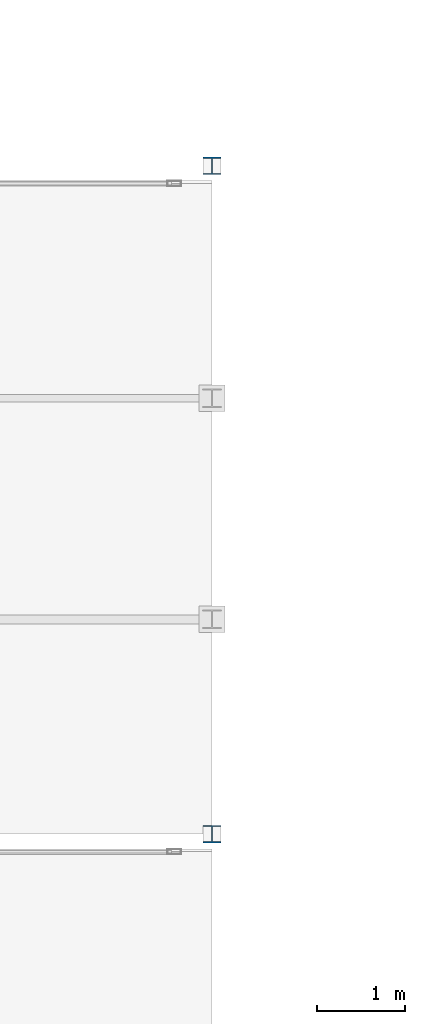
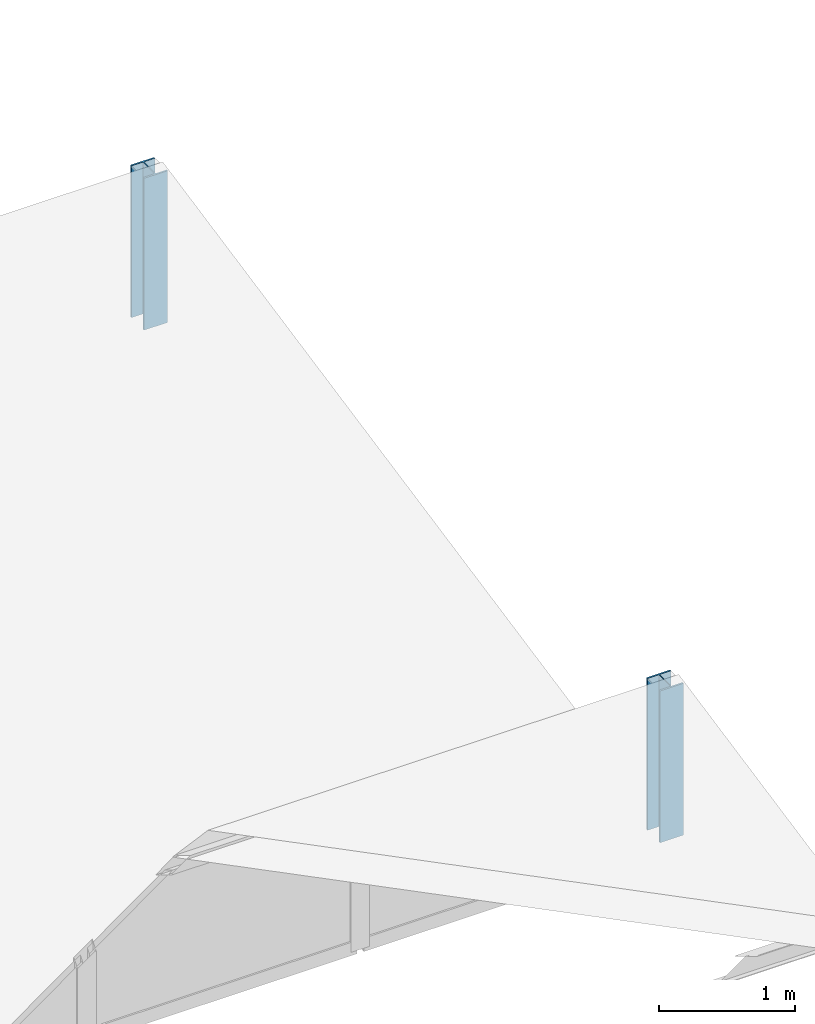
# One storey, part 2 of 114: 2 columns.
"""IFC4 building model written with IfcOpenShell, lengths in metres."""

import ifcopenshell
import ifcopenshell.guid

model = None  # the IFC model being written
_history = None  # IfcOwnerHistory: only IFC2X3 demands one
_inside = {}  # id of a spatial element -> (the spatial element, [elements in it])
_under = {}  # id of a project, library or spatial element -> (it, [spatial elements below it])
_declared = {}  # id of a project -> (the project, [libraries it declares])
_typed = {}  # id of a type object -> (the type object, [elements of that type])
_made_of = {}  # id of a material, layer set ... -> (it, [elements and type objects made of it])


def new_model(schema):
    """Start an empty IFC model of exactly this schema.

    Asked for "IFC4X3", IfcOpenShell would pick the latest addendum, in which some entities
    have other attributes; the version numbers below select the first issue.
    IFC2X3 requires an IfcOwnerHistory on every rooted entity: one is made here for all.
    """
    global model, _history
    if schema == "IFC4X3":
        model = ifcopenshell.file(schema_version=(4, 3, 0, 0))
    else:
        model = ifcopenshell.file(schema=schema)
    _inside.clear()
    _under.clear()
    _declared.clear()
    _typed.clear()
    _made_of.clear()
    _history = None
    if model.schema == "IFC2X3":
        org = make("IfcOrganization", Name="unknown")
        user = make(
            "IfcPersonAndOrganization",
            ThePerson=make("IfcPerson", FamilyName="unknown"),
            TheOrganization=org,
        )
        app = make(
            "IfcApplication",
            ApplicationDeveloper=org,
            Version="unknown",
            ApplicationFullName="unknown",
            ApplicationIdentifier="unknown",
        )
        _history = make(
            "IfcOwnerHistory",
            OwningUser=user,
            OwningApplication=app,
            ChangeAction="ADDED",
            CreationDate=0,
        )
    return model


def make(cls, **values):
    """One entity of the class cls with the attributes given. An attribute that is None is left unset."""
    return model.create_entity(
        cls, **{name: value for name, value in values.items() if value is not None}
    )


def rooted(cls, **values):
    """An entity with a GlobalId (a new one), such as an element, a storey or a relation."""
    return make(cls, GlobalId=ifcopenshell.guid.new(), OwnerHistory=_history, **values)


def si_unit(unit_type, name, prefix=None):
    """IfcSIUnit, for example si_unit("LENGTHUNIT", "METRE", prefix="MILLI")."""
    return make("IfcSIUnit", UnitType=unit_type, Prefix=prefix, Name=name)


def assignment(units):
    """IfcUnitAssignment: the units of a project."""
    return None if units is None else make("IfcUnitAssignment", Units=units)


def point(xyz):
    """IfcCartesianPoint."""
    return None if xyz is None else make("IfcCartesianPoint", Coordinates=xyz)


def direction(xyz):
    """IfcDirection."""
    return None if xyz is None else make("IfcDirection", DirectionRatios=xyz)


def frame(location, z_axis=None, x_axis=None):
    """IfcAxis2Placement3D, a coordinate frame: its origin and axes. An axis left out is left unset."""
    return make(
        "IfcAxis2Placement3D",
        Location=point(location),
        Axis=direction(z_axis),
        RefDirection=direction(x_axis),
    )


def frame_2d(location, x_axis=None):
    """IfcAxis2Placement2D, a coordinate frame in the plane: its origin and x axis."""
    return make(
        "IfcAxis2Placement2D", Location=point(location), RefDirection=direction(x_axis)
    )


def origin():
    """The frame at (0, 0, 0) with its axes left unset."""
    return frame((0.0, 0.0, 0.0))


def origin_2d():
    """The frame at (0, 0) in the plane with its x axis left unset."""
    return frame_2d((0.0, 0.0))


def place(relative_to, where):
    """IfcLocalPlacement: puts the frame where relative to a parent placement (None: the world)."""
    return make(
        "IfcLocalPlacement", PlacementRelTo=relative_to, RelativePlacement=where
    )


def context(
    kind, dimensions, precision=None, world=None, true_north=None, identifier=None
):
    """IfcGeometricRepresentationContext, for example the 3D "Model" context."""
    return make(
        "IfcGeometricRepresentationContext",
        ContextIdentifier=identifier,
        ContextType=kind,
        CoordinateSpaceDimension=dimensions,
        Precision=precision,
        WorldCoordinateSystem=world,
        TrueNorth=true_north,
    )


def subcontext(parent, identifier, kind, view, scale=None):
    """IfcGeometricRepresentationSubContext, for example "Body" below "Model"."""
    return make(
        "IfcGeometricRepresentationSubContext",
        ContextIdentifier=identifier,
        ContextType=kind,
        ParentContext=parent,
        TargetScale=scale,
        TargetView=view,
    )


def project(units=None, contexts=None):
    """IfcProject with its units and contexts."""
    return rooted(
        "IfcProject",
        Name="project",
        RepresentationContexts=contexts,
        UnitsInContext=assignment(units),
    )


def spatial(cls, under=None, at=None, **own):
    """A site, building, storey or space (cls), placed at a placement, below another one or the project."""
    s = rooted(cls, ObjectPlacement=at, **own)
    if under is not None:
        _under.setdefault(under.id(), (under, []))[1].append(s)
    return s


def profile(cls, at=None, kind="AREA", **sizes):
    """A parametric profile (cls). Its sizes go by their IFC names, for example OverallWidth=200.0."""
    return make(cls, ProfileType=kind, Position=at, **sizes)


def i_section(**sizes):
    """IfcIShapeProfileDef."""
    return profile("IfcIShapeProfileDef", **sizes)


def extrude(swept, where, along, depth):
    """IfcExtrudedAreaSolid: the profile swept, set in the frame where, extruded along a direction by depth."""
    return make(
        "IfcExtrudedAreaSolid",
        SweptArea=swept,
        Position=where,
        ExtrudedDirection=direction(along),
        Depth=depth,
    )


def shape(context_of_items, identifier, shape_type, items):
    """IfcShapeRepresentation: the items that make up one representation, for example the "Body"."""
    return make(
        "IfcShapeRepresentation",
        ContextOfItems=context_of_items,
        RepresentationIdentifier=identifier,
        RepresentationType=shape_type,
        Items=items,
    )


def material(Name=None, Category=None):
    """IfcMaterial."""
    return make("IfcMaterial", Name=Name, Category=Category)


def material_profile(
    of_material, cross_section, Name=None, Category=None, Priority=None
):
    """IfcMaterialProfile: a cross section and its material."""
    return make(
        "IfcMaterialProfile",
        Name=Name,
        Material=of_material,
        Profile=cross_section,
        Priority=Priority,
        Category=Category,
    )


def profile_set(profiles, Name=None, composite=None):
    """IfcMaterialProfileSet."""
    return make(
        "IfcMaterialProfileSet",
        Name=Name,
        MaterialProfiles=profiles,
        CompositeProfile=composite,
    )


def made_of(thing, what):
    """Note that an element or type object is made of a material, layer set ...; save() writes the relation."""
    if what is not None:
        _made_of.setdefault(what.id(), (what, []))[1].append(thing)
    return thing


def type_object(cls, material=None, **own):
    """A type object (cls), such as IfcWallType, which elements share."""
    return made_of(rooted(cls, **own), material)


def element(
    cls,
    number,
    at=None,
    inside=None,
    cuts=None,
    type_object=None,
    material=None,
    context=None,
    identifier="Body",
    shape_type=None,
    held_by="IfcProductDefinitionShape",
    body=None,
    shapes=None,
    **own,
):
    """One element of the class cls, such as IfcWall. Its Tag is "e" and its number.

    at: its placement. inside: the storey or other place that contains it. cuts: it is an
    opening in that element (IfcRelVoidsElement). A single representation is given by context,
    identifier, shape_type and body (its items); several are given by shapes. held_by: the class
    of the entity that holds the representations. save() writes the other relations.
    """
    e = rooted(cls, Tag="e%d" % number, ObjectPlacement=at, **own)
    if body is not None:
        shapes = [shape(context, identifier, shape_type, body)]
    if shapes is not None:
        e.Representation = make(held_by, Representations=shapes)
    if inside is not None:
        _inside.setdefault(inside.id(), (inside, []))[1].append(e)
    if cuts is not None:
        rooted(
            "IfcRelVoidsElement", RelatingBuildingElement=cuts, RelatedOpeningElement=e
        )
    if type_object is not None:
        _typed.setdefault(type_object.id(), (type_object, []))[1].append(e)
    return made_of(e, material)


def aggregate(whole, parts):
    """IfcRelAggregates: a whole, such as a stair, and the parts it consists of."""
    return rooted("IfcRelAggregates", RelatingObject=whole, RelatedObjects=parts)


def save(model, path):
    """Write the relations noted so far, then the file.

    IfcRelAggregates (storeys below a building ...), IfcRelContainedInSpatialStructure (elements
    in a storey), IfcRelDefinesByType, IfcRelAssociatesMaterial and IfcRelDeclares: one each for
    every whole, place, type object, material and project.
    """
    for whole, parts in _under.values():
        aggregate(whole, parts)
    for where, things in _inside.values():
        rooted(
            "IfcRelContainedInSpatialStructure",
            RelatedElements=things,
            RelatingStructure=where,
        )
    for kind, things in _typed.values():
        rooted("IfcRelDefinesByType", RelatedObjects=things, RelatingType=kind)
    for what, things in _made_of.values():
        rooted("IfcRelAssociatesMaterial", RelatedObjects=things, RelatingMaterial=what)
    for by, libraries in _declared.values():
        rooted("IfcRelDeclares", RelatingContext=by, RelatedDefinitions=libraries)
    model.write(path)


model = new_model("IFC4")

# Units and contexts
model_context = context("Model", 3, precision=1e-05, world=origin(), true_north=direction((0.0, 1.0)))
body_context = subcontext(model_context, "Body", "Model", "MODEL_VIEW")
ifc_project = project(units=[si_unit("LENGTHUNIT", "METRE"), si_unit("AREAUNIT", "SQUARE_METRE"), si_unit("VOLUMEUNIT", "CUBIC_METRE"), si_unit("PLANEANGLEUNIT", "RADIAN"), si_unit("MASSUNIT", "GRAM", prefix="KILO")], contexts=[model_context])

# Site, building, storey
site_placement = place(None, origin())
site = spatial("IfcSite", under=ifc_project, at=site_placement, CompositionType="ELEMENT")
building_placement = place(site_placement, origin())
building = spatial("IfcBuilding", under=site, at=building_placement, Name="Montecoro Central Library", CompositionType="ELEMENT")
storey_placement = place(building_placement, frame((0.0, 0.0, 13.260009765625)))
storey = spatial("IfcBuildingStorey", under=building, at=storey_placement, Name="L03", CompositionType="ELEMENT", Elevation=13.260009765625)

# Columns
ifc_material = material(Name="Steel S355", Category="steel")
ifc_material_profile = material_profile(ifc_material, i_section(OverallWidth=0.199951171875, OverallDepth=0.199951171875, WebThickness=0.009033203125, FlangeThickness=0.014892578125, at=origin_2d()), Name="HEB 200")
ifc_profile_set = profile_set([ifc_material_profile], Name="Steel S355")
column_type = type_object("IfcColumnType", Name="COL-HEB200", PredefinedType="COLUMN", material=ifc_profile_set)
for number, where, z_axis, x_axis, name in (
    (1, (43.0, 27.800048828125, -0.0400390625), (0.0, 0.0, 1.0), (1.0, 0.0, 0.0), "V3-ROOF-POST1-E"),
    (2, (43.0, 35.39990234375, -0.0400390625), (0.0, 0.0, 1.0), (1.0, 0.0, 0.0), "V3-ROOF-POST2-E"),
):
    element("IfcColumn", number, at=place(storey_placement, frame(where, z_axis=z_axis, x_axis=x_axis)), inside=storey, type_object=column_type, Name=name, PredefinedType="COLUMN", context=body_context, shape_type="SweptSolid", body=[
        extrude(i_section(OverallWidth=0.199951171875, OverallDepth=0.199951171875, WebThickness=0.009033203125, FlangeThickness=0.014892578125, at=origin_2d()), origin(), (0.0, 0.0, 1.0), 1.364990234375),
    ])

save(model, "model.ifc")
